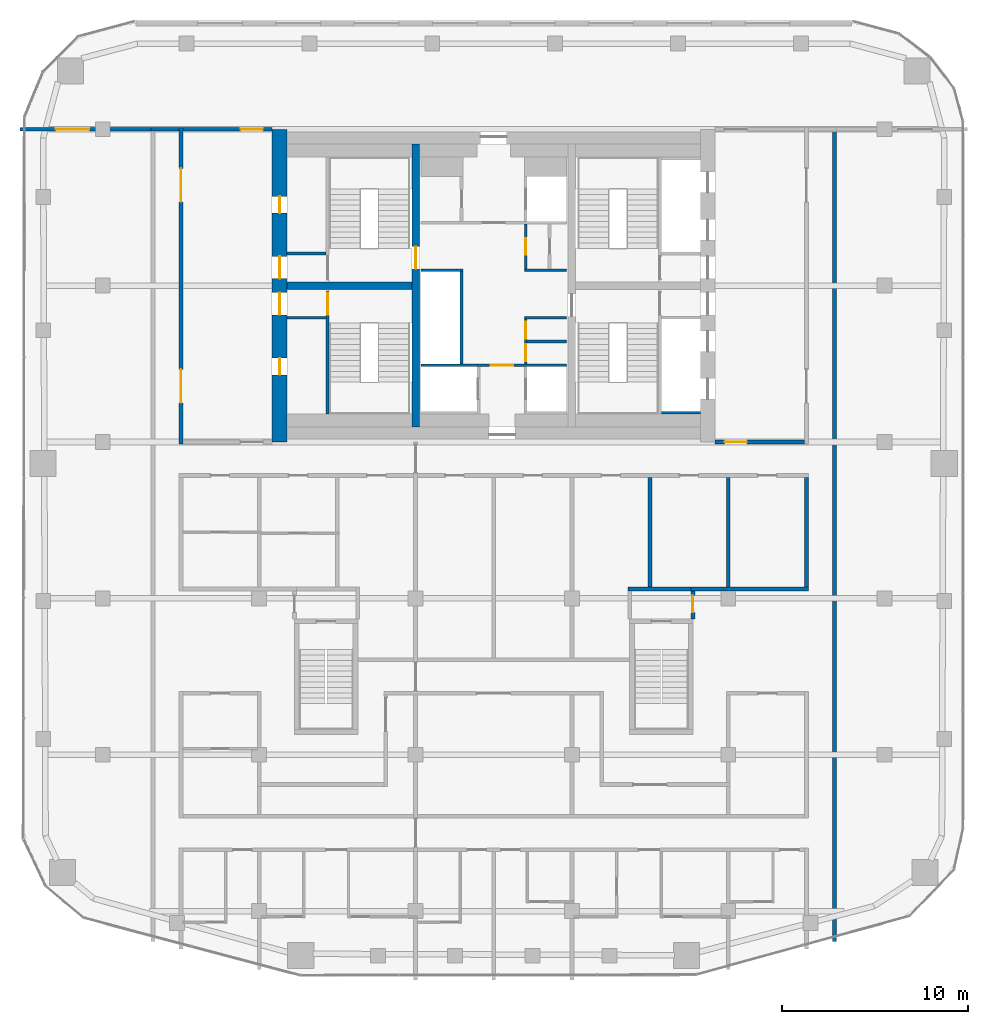
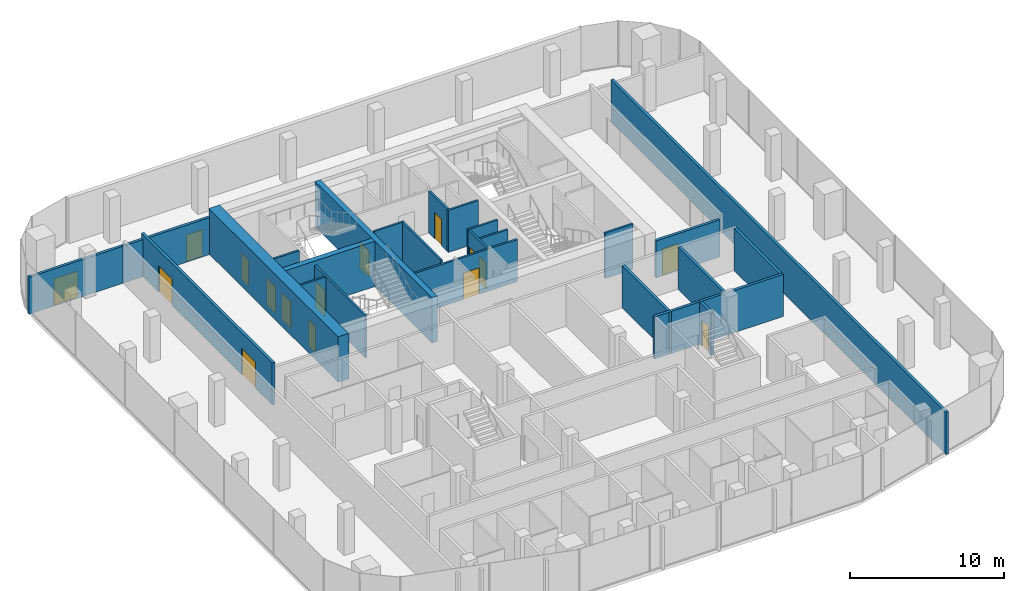
# One storey, part 16 of 20: 27 walls, 16 doors, 16 openings.
"""IFC4 building model written with IfcOpenShell, lengths in metres."""

from ifc_helpers import new_model, si_unit, direction, frame, frame_2d, origin, place, context, subcontext, project, spatial, rectangle, extrude, material, layer, layer_set, type_object, element, fill, save


model = new_model("IFC4")

# Units and contexts
model_context = context("Model", 3, precision=1e-05, world=origin(), true_north=direction((0.0, 1.0)))
body_context = subcontext(model_context, "Body", "Model", "MODEL_VIEW")
ifc_project = project(units=[si_unit("LENGTHUNIT", "METRE"), si_unit("AREAUNIT", "SQUARE_METRE"), si_unit("VOLUMEUNIT", "CUBIC_METRE"), si_unit("PLANEANGLEUNIT", "RADIAN"), si_unit("MASSUNIT", "GRAM", prefix="KILO")], contexts=[model_context])

# Site, building, storey
site_placement = place(None, origin())
site = spatial("IfcSite", under=ifc_project, at=site_placement, CompositionType="ELEMENT")
building_placement = place(site_placement, origin())
building = spatial("IfcBuilding", under=site, at=building_placement, Name="Marenta Gate Hotel Tower", CompositionType="ELEMENT")
storey_placement = place(building_placement, frame((0.0, 0.0, 216.5)))
storey = spatial("IfcBuildingStorey", under=building, at=storey_placement, Name="L50", CompositionType="ELEMENT", Elevation=216.5)

# Wall, openings, doors
ifc_material_1 = material(Name="Concrete blockwork", Category="masonry")
ifc_layer_1 = layer(ifc_material_1, 0.199951171875)
ifc_layer_set_1 = layer_set([ifc_layer_1], Name="Concrete blockwork")
wall_type_1 = type_object("IfcWallType", Name="Core boundary wall 200 REI 180", PredefinedType="PARTITIONING", material=ifc_layer_set_1)
wall_1_placement = place(storey_placement, frame((-16.800048828125, -0.10009765625, 0.0), z_axis=(0.0, 0.0, 1.0), x_axis=(0.0, 1.0, 0.0)))
wall_1 = element("IfcWall", 1, at=wall_1_placement, inside=storey, type_object=wall_type_1, Name="L50-CP-BW-W", PredefinedType="PARTITIONING", context=body_context, shape_type="SweptSolid", body=[
    extrude(rectangle(XDim=17.0, YDim=0.199951171875, at=frame_2d((8.5, 0.0))), origin(), (0.0, 0.0, 1.0), 3.340087890625),
])
opening_1_placement = place(wall_1_placement, frame((2.199951171875, 0.0, 0.0)))
opening_1 = element("IfcOpeningElement", 2, at=opening_1_placement, cuts=wall_1, Name="Opening ED-Wa-B", PredefinedType="OPENING", context=body_context, shape_type="SweptSolid", body=[
    extrude(rectangle(XDim=1.800048828125, YDim=2.10009765625, at=frame_2d((0.89990234375, 1.050048828125))), frame((0.0, 0.10009765625, 0.0), z_axis=(0.0, -1.0, 0.0), x_axis=(1.0, 0.0, 0.0)), (0.0, 0.0, 1.0), 0.199951171875),
])
opening_2_placement = place(wall_1_placement, frame((13.0, 0.0, 0.0)))
opening_2 = element("IfcOpeningElement", 3, at=opening_2_placement, cuts=wall_1, Name="Opening ED-Wb-B", PredefinedType="OPENING", context=body_context, shape_type="SweptSolid", body=[
    extrude(rectangle(XDim=1.800048828125, YDim=2.10009765625, at=frame_2d((0.89990234375, 1.050048828125))), frame((0.0, 0.10009765625, 0.0), z_axis=(0.0, -1.0, 0.0), x_axis=(1.0, 0.0, 0.0)), (0.0, 0.0, 1.0), 0.199951171875),
])
ifc_material_2 = material(Name="Steel", Category="steel")
door_type_1 = type_object("IfcDoorType", Name="Core lobby entrance door 1800x2100 EI 60", OperationType="DOUBLE_DOOR_SINGLE_SWING", PredefinedType="DOOR", material=ifc_material_2)
door_1_placement = place(opening_1_placement, origin())
door_1 = element("IfcDoor", 4, at=door_1_placement, inside=storey, type_object=door_type_1, Name="ED-Wa-B", OperationType="DOUBLE_DOOR_SINGLE_SWING", OverallHeight=2.10009765625, OverallWidth=1.800048828125, PredefinedType="DOOR", context=body_context, shape_type="SweptSolid", body=[
    extrude(rectangle(XDim=1.800048828125, YDim=2.10009765625, at=frame_2d((0.89990234375, 1.050048828125))), frame((0.0, 0.02490234375, 0.0), z_axis=(0.0, -1.0, 0.0), x_axis=(1.0, 0.0, 0.0)), (0.0, 0.0, 1.0), 0.050048828125),
])
fill(opening_1, door_1)
door_2_placement = place(opening_2_placement, origin())
door_2 = element("IfcDoor", 5, at=door_2_placement, inside=storey, type_object=door_type_1, Name="ED-Wb-B", OperationType="DOUBLE_DOOR_SINGLE_SWING", OverallHeight=2.10009765625, OverallWidth=1.800048828125, PredefinedType="DOOR", context=body_context, shape_type="SweptSolid", body=[
    extrude(rectangle(XDim=1.800048828125, YDim=2.10009765625, at=frame_2d((0.89990234375, 1.050048828125))), frame((0.0, 0.02490234375, 0.0), z_axis=(0.0, -1.0, 0.0), x_axis=(1.0, 0.0, 0.0)), (0.0, 0.0, 1.0), 0.050048828125),
])
fill(opening_2, door_2)

# Wall, opening, door
wall_2_placement = place(storey_placement, frame((-16.699951171875, 16.800048828125, 0.0), z_axis=(0.0, 0.0, 1.0), x_axis=(1.0, 0.0, 0.0)))
wall_2 = element("IfcWall", 6, at=wall_2_placement, inside=storey, type_object=wall_type_1, Name="L50-CP-EW-WN", PredefinedType="PARTITIONING", context=body_context, shape_type="SweptSolid", body=[
    extrude(rectangle(XDim=4.800048828125, YDim=0.199951171875, at=frame_2d((2.39990234375, 0.0))), origin(), (0.0, 0.0, 1.0), 2.93994140625),
])
opening_3_placement = place(wall_2_placement, frame((3.10009765625, 0.0, 0.0)))
opening_3 = element("IfcOpeningElement", 7, at=opening_3_placement, cuts=wall_2, Name="Opening RFD-WN", PredefinedType="OPENING", context=body_context, shape_type="SweptSolid", body=[
    extrude(rectangle(XDim=1.199951171875, YDim=2.10009765625, at=frame_2d((0.60009765625, 1.050048828125))), frame((0.0, 0.10009765625, 0.0), z_axis=(0.0, -1.0, 0.0), x_axis=(1.0, 0.0, 0.0)), (0.0, 0.0, 1.0), 0.199951171875),
])
ifc_material_3 = material(Name="Steel", Category="steel")
door_type_2 = type_object("IfcDoorType", Name="Core lobby door 1200x2100 FD60", OperationType="SINGLE_SWING_LEFT", PredefinedType="DOOR", material=ifc_material_3)
door_3_placement = place(opening_3_placement, origin())
door_3 = element("IfcDoor", 8, at=door_3_placement, inside=storey, type_object=door_type_2, Name="RFD-WN", OperationType="SINGLE_SWING_LEFT", OverallHeight=2.10009765625, OverallWidth=1.199951171875, PredefinedType="DOOR", context=body_context, shape_type="SweptSolid", body=[
    extrude(rectangle(XDim=1.199951171875, YDim=2.10009765625, at=frame_2d((0.60009765625, 1.050048828125))), frame((0.0, 0.02490234375, 0.0), z_axis=(0.0, -1.0, 0.0), x_axis=(1.0, 0.0, 0.0)), (0.0, 0.0, 1.0), 0.050048828125),
])
fill(opening_3, door_3)

wall_3_placement = place(storey_placement, frame((11.89990234375, 0.0, 0.0), z_axis=(0.0, 0.0, 1.0), x_axis=(1.0, 0.0, 0.0)))
wall_3 = element("IfcWall", 9, at=wall_3_placement, inside=storey, type_object=wall_type_1, Name="L50-CP-EW-ES", PredefinedType="PARTITIONING", context=body_context, shape_type="SweptSolid", body=[
    extrude(rectangle(XDim=4.800048828125, YDim=0.199951171875, at=frame_2d((2.39990234375, 0.0))), origin(), (0.0, 0.0, 1.0), 2.93994140625),
])
opening_4_placement = place(wall_3_placement, frame((0.5, 0.0, 0.0)))
opening_4 = element("IfcOpeningElement", 10, at=opening_4_placement, cuts=wall_3, Name="Opening RFD-ES", PredefinedType="OPENING", context=body_context, shape_type="SweptSolid", body=[
    extrude(rectangle(XDim=1.199951171875, YDim=2.10009765625, at=frame_2d((0.60009765625, 1.050048828125))), frame((0.0, 0.10009765625, 0.0), z_axis=(0.0, -1.0, 0.0), x_axis=(1.0, 0.0, 0.0)), (0.0, 0.0, 1.0), 0.199951171875),
])
door_4_placement = place(opening_4_placement, origin())
door_4 = element("IfcDoor", 11, at=door_4_placement, inside=storey, type_object=door_type_2, Name="RFD-ES", OperationType="SINGLE_SWING_LEFT", OverallHeight=2.10009765625, OverallWidth=1.199951171875, PredefinedType="DOOR", context=body_context, shape_type="SweptSolid", body=[
    extrude(rectangle(XDim=1.199951171875, YDim=2.10009765625, at=frame_2d((0.60009765625, 1.050048828125))), frame((0.0, 0.02490234375, 0.0), z_axis=(0.0, -1.0, 0.0), x_axis=(1.0, 0.0, 0.0)), (0.0, 0.0, 1.0), 0.050048828125),
])
fill(opening_4, door_4)

ifc_material_4 = material(Name="Concrete blockwork", Category="masonry")
ifc_layer_2 = layer(ifc_material_4, 0.14990234375)
ifc_layer_set_2 = layer_set([ifc_layer_2], Name="Concrete blockwork")
wall_type_2 = type_object("IfcWallType", Name="Core lobby partition 150 REI 180", PredefinedType="PARTITIONING", material=ifc_layer_set_2)
wall_4_placement = place(storey_placement, frame((-3.89990234375, 4.125, 0.0), z_axis=(0.0, 0.0, 1.0), x_axis=(1.0, 0.0, 0.0)))
wall_4 = element("IfcWall", 12, at=wall_4_placement, inside=storey, type_object=wall_type_2, Name="L50-CP-CW-S", PredefinedType="PARTITIONING", context=body_context, shape_type="SweptSolid", body=[
    extrude(rectangle(XDim=7.7998046875, YDim=0.14990234375, at=frame_2d((3.89990234375, 0.0))), origin(), (0.0, 0.0, 1.0), 3.340087890625),
])
opening_5_placement = place(wall_4_placement, frame((3.75, 0.0, 0.0)))
opening_5 = element("IfcOpeningElement", 13, at=opening_5_placement, cuts=wall_4, Name="Opening FD-FFS", PredefinedType="OPENING", context=body_context, shape_type="SweptSolid", body=[
    extrude(rectangle(XDim=1.199951171875, YDim=2.10009765625, at=frame_2d((0.60009765625, 1.050048828125))), frame((0.0, 0.074951171875, 0.0), z_axis=(0.0, -1.0, 0.0), x_axis=(1.0, 0.0, 0.0)), (0.0, 0.0, 1.0), 0.14990234375),
])
door_5_placement = place(opening_5_placement, origin())
door_5 = element("IfcDoor", 14, at=door_5_placement, inside=storey, type_object=door_type_2, Name="FD-FFS", OperationType="SINGLE_SWING_LEFT", OverallHeight=2.10009765625, OverallWidth=1.199951171875, PredefinedType="DOOR", context=body_context, shape_type="SweptSolid", body=[
    extrude(rectangle(XDim=1.199951171875, YDim=2.10009765625, at=frame_2d((0.60009765625, 1.050048828125))), frame((0.0, 0.02490234375, 0.0), z_axis=(0.0, -1.0, 0.0), x_axis=(1.0, 0.0, 0.0)), (0.0, 0.0, 1.0), 0.050048828125),
])
fill(opening_5, door_5)

# Walls
ifc_material_5 = material(Name="Concrete blockwork", Category="masonry")
ifc_layer_3 = layer(ifc_material_5, 0.14990234375)
ifc_layer_set_3 = layer_set([ifc_layer_3], Name="Concrete blockwork")
wall_type_3 = type_object("IfcWallType", Name="Core room partition 150 REI 180", PredefinedType="PARTITIONING", material=ifc_layer_set_3)
for number, where, z_axis, x_axis, name in (
    (15, (-11.10009765625, 6.675048828125, 0.0), (0.0, 0.0, 1.0), (1.0, 0.0, 0.0), "L50-CP-SW-WS-2"),
    (16, (-11.10009765625, 10.125, 0.0), (0.0, 0.0, 1.0), (1.0, 0.0, 0.0), "L50-CP-SW-WN-2"),
):
    element("IfcWall", number, at=place(storey_placement, frame(where, z_axis=z_axis, x_axis=x_axis)), inside=storey, type_object=wall_type_3, Name=name, PredefinedType="PARTITIONING", context=body_context, shape_type="SweptSolid", body=[
        extrude(rectangle(XDim=2.10009765625, YDim=0.14990234375, at=frame_2d((1.050048828125, 0.0))), origin(), (0.0, 0.0, 1.0), 3.340087890625),
    ])
for number, where, z_axis, x_axis, name in (
    (17, (1.64990234375, 6.675048828125, 0.0), (0.0, 0.0, 1.0), (1.0, 0.0, 0.0), "L50-CP-CE-sep1"),
    (18, (1.64990234375, 9.22509765625, 0.0), (0.0, 0.0, 1.0), (1.0, 0.0, 0.0), "L50-CP-CE-sep2"),
):
    element("IfcWall", number, at=place(storey_placement, frame(where, z_axis=z_axis, x_axis=x_axis)), inside=storey, type_object=wall_type_3, Name=name, PredefinedType="PARTITIONING", context=body_context, shape_type="SweptSolid", body=[
        extrude(rectangle(XDim=2.25, YDim=0.14990234375, at=frame_2d((1.125, 0.0))), origin(), (0.0, 0.0, 1.0), 3.340087890625),
    ])

# Wall, openings, doors
wall_5_placement = place(storey_placement, frame((1.72509765625, 4.199951171875, 0.0), z_axis=(0.0, 0.0, 1.0), x_axis=(0.0, 1.0, 0.0)))
wall_5 = element("IfcWall", 19, at=wall_5_placement, inside=storey, type_object=wall_type_3, Name="L50-CP-CE-front-1", PredefinedType="PARTITIONING", context=body_context, shape_type="SweptSolid", body=[
    extrude(rectangle(XDim=2.400146484375, YDim=0.14990234375, at=frame_2d((1.2001953125, 0.0))), origin(), (0.0, 0.0, 1.0), 3.340087890625),
])
opening_6_placement = place(wall_5_placement, frame((0.14990234375, 0.0, 0.0)))
opening_6 = element("IfcOpeningElement", 20, at=opening_6_placement, cuts=wall_5, Name="Opening RD-CE-1a", PredefinedType="OPENING", context=body_context, shape_type="SweptSolid", body=[
    extrude(rectangle(XDim=0.89990234375, YDim=2.10009765625, at=frame_2d((0.449951171875, 1.050048828125))), frame((0.0, 0.074951171875, 0.0), z_axis=(0.0, -1.0, 0.0), x_axis=(1.0, 0.0, 0.0)), (0.0, 0.0, 1.0), 0.14990234375),
])
opening_7_placement = place(wall_5_placement, frame((1.35009765625, 0.0, 0.0)))
opening_7 = element("IfcOpeningElement", 21, at=opening_7_placement, cuts=wall_5, Name="Opening RD-CE-1b-B", PredefinedType="OPENING", context=body_context, shape_type="SweptSolid", body=[
    extrude(rectangle(XDim=0.89990234375, YDim=2.10009765625, at=frame_2d((0.449951171875, 1.050048828125))), frame((0.0, 0.074951171875, 0.0), z_axis=(0.0, -1.0, 0.0), x_axis=(1.0, 0.0, 0.0)), (0.0, 0.0, 1.0), 0.14990234375),
])
ifc_material_6 = material(Name="Steel", Category="steel")
door_type_3 = type_object("IfcDoorType", Name="Core service room door 900x2100 FD30S", OperationType="SINGLE_SWING_LEFT", PredefinedType="DOOR", material=ifc_material_6)
door_6_placement = place(opening_6_placement, origin())
door_6 = element("IfcDoor", 22, at=door_6_placement, inside=storey, type_object=door_type_3, Name="RD-CE-1a", OperationType="SINGLE_SWING_LEFT", OverallHeight=2.10009765625, OverallWidth=0.89990234375, PredefinedType="DOOR", context=body_context, shape_type="SweptSolid", body=[
    extrude(rectangle(XDim=0.89990234375, YDim=2.10009765625, at=frame_2d((0.449951171875, 1.050048828125))), frame((0.0, 0.02490234375, 0.0), z_axis=(0.0, -1.0, 0.0), x_axis=(1.0, 0.0, 0.0)), (0.0, 0.0, 1.0), 0.050048828125),
])
fill(opening_6, door_6)
door_7_placement = place(opening_7_placement, origin())
door_7 = element("IfcDoor", 23, at=door_7_placement, inside=storey, type_object=door_type_3, Name="RD-CE-1b-B", OperationType="SINGLE_SWING_LEFT", OverallHeight=2.10009765625, OverallWidth=0.89990234375, PredefinedType="DOOR", context=body_context, shape_type="SweptSolid", body=[
    extrude(rectangle(XDim=0.89990234375, YDim=2.10009765625, at=frame_2d((0.449951171875, 1.050048828125))), frame((0.0, 0.02490234375, 0.0), z_axis=(0.0, -1.0, 0.0), x_axis=(1.0, 0.0, 0.0)), (0.0, 0.0, 1.0), 0.050048828125),
])
fill(opening_7, door_7)

# Wall, opening, door
wall_6_placement = place(storey_placement, frame((1.72509765625, 9.300048828125, 0.0), z_axis=(0.0, 0.0, 1.0), x_axis=(0.0, 1.0, 0.0)))
wall_6 = element("IfcWall", 24, at=wall_6_placement, inside=storey, type_object=wall_type_3, Name="L50-CP-CE-front-2", PredefinedType="PARTITIONING", context=body_context, shape_type="SweptSolid", body=[
    extrude(rectangle(XDim=2.39990234375, YDim=0.14990234375, at=frame_2d((1.199951171875, 0.0))), origin(), (0.0, 0.0, 1.0), 3.340087890625),
])
opening_8_placement = place(wall_6_placement, frame((0.75, 0.0, 0.0)))
opening_8 = element("IfcOpeningElement", 25, at=opening_8_placement, cuts=wall_6, Name="Opening RD-CE-2a", PredefinedType="OPENING", context=body_context, shape_type="SweptSolid", body=[
    extrude(rectangle(XDim=0.89990234375, YDim=2.10009765625, at=frame_2d((0.449951171875, 1.050048828125))), frame((0.0, 0.074951171875, 0.0), z_axis=(0.0, -1.0, 0.0), x_axis=(1.0, 0.0, 0.0)), (0.0, 0.0, 1.0), 0.14990234375),
])
door_8_placement = place(opening_8_placement, origin())
door_8 = element("IfcDoor", 26, at=door_8_placement, inside=storey, type_object=door_type_3, Name="RD-CE-2a", OperationType="SINGLE_SWING_LEFT", OverallHeight=2.10009765625, OverallWidth=0.89990234375, PredefinedType="DOOR", context=body_context, shape_type="SweptSolid", body=[
    extrude(rectangle(XDim=0.89990234375, YDim=2.10009765625, at=frame_2d((0.449951171875, 1.050048828125))), frame((0.0, 0.02490234375, 0.0), z_axis=(0.0, -1.0, 0.0), x_axis=(1.0, 0.0, 0.0)), (0.0, 0.0, 1.0), 0.050048828125),
])
fill(opening_8, door_8)

# Walls
wall_7_placement = place(storey_placement, frame((1.800048828125, 5.39990234375, 0.0), z_axis=(0.0, 0.0, 1.0), x_axis=(1.0, 0.0, 0.0)))
element("IfcWall", 27, at=wall_7_placement, inside=storey, type_object=wall_type_3, Name="L50-CP-CE-RW-1", PredefinedType="PARTITIONING", context=body_context, shape_type="SweptSolid", body=[
    extrude(rectangle(XDim=2.099853515625, YDim=0.14990234375, at=frame_2d((1.0498046875, 0.0))), origin(), (0.0, 0.0, 1.0), 3.340087890625),
])
ifc_material_7 = material(Name="Concrete C40", Category="concrete")
ifc_layer_4 = layer(ifc_material_7, 0.14990234375)
ifc_layer_set_4 = layer_set([ifc_layer_4], Name="Concrete C40")
wall_type_4 = type_object("IfcWallType", Name="Core shaft wall 150 REI 180", PredefinedType="SHEAR", material=ifc_layer_set_4)
wall_8_placement = place(storey_placement, frame((9.0, 1.574951171875, 0.0), z_axis=(0.0, 0.0, 1.0), x_axis=(1.0, 0.0, 0.0)))
element("IfcWall", 28, at=wall_8_placement, inside=storey, type_object=wall_type_4, Name="L50-SHF-SW-ES-5", PredefinedType="SHEAR", context=body_context, shape_type="SweptSolid", body=[
    extrude(rectangle(XDim=2.10009765625, YDim=0.14990234375, at=frame_2d((1.050048828125, 0.0))), origin(), (0.0, 0.0, 1.0), 3.60009765625),
])
wall_9_placement = place(storey_placement, frame((-1.72509765625, 4.199951171875, 0.0), z_axis=(0.0, 0.0, 1.0), x_axis=(0.0, 1.0, 0.0)))
element("IfcWall", 29, at=wall_9_placement, inside=storey, type_object=wall_type_4, Name="L50-SHF-CW-W-front", PredefinedType="SHEAR", context=body_context, shape_type="SweptSolid", body=[
    extrude(rectangle(XDim=4.949951171875, YDim=0.14990234375, at=frame_2d((2.47509765625, 0.0))), origin(), (0.0, 0.0, 1.0), 3.60009765625),
])
wall_10_placement = place(storey_placement, frame((-3.89990234375, 9.22509765625, 0.0), z_axis=(0.0, 0.0, 1.0), x_axis=(1.0, 0.0, 0.0)))
element("IfcWall", 30, at=wall_10_placement, inside=storey, type_object=wall_type_4, Name="L50-SHF-CW-W-sep", PredefinedType="SHEAR", context=body_context, shape_type="SweptSolid", body=[
    extrude(rectangle(XDim=2.25, YDim=0.14990234375, at=frame_2d((1.125, 0.0))), origin(), (0.0, 0.0, 1.0), 3.60009765625),
])

# Wall, opening, door
ifc_material_8 = material(Name="Concrete C40", Category="concrete")
ifc_layer_5 = layer(ifc_material_8, 0.14990234375)
ifc_layer_set_5 = layer_set([ifc_layer_5], Name="Concrete C40")
wall_type_5 = type_object("IfcWallType", Name="Core stair enclosure wall 150 REI 180", PredefinedType="SHEAR", material=ifc_layer_set_5)
wall_11_placement = place(storey_placement, frame((-8.925048828125, 1.5, 0.0), z_axis=(0.0, 0.0, 1.0), x_axis=(0.0, 1.0, 0.0)))
wall_11 = element("IfcWall", 31, at=wall_11_placement, inside=storey, type_object=wall_type_5, Name="L50-SHF-SW-WS-3", PredefinedType="SHEAR", context=body_context, shape_type="SweptSolid", body=[
    extrude(rectangle(XDim=6.60009765625, YDim=0.14990234375, at=frame_2d((3.300048828125, 0.0))), origin(), (0.0, 0.0, 1.0), 3.340087890625),
])
opening_9_placement = place(wall_11_placement, frame((5.324951171875, 0.0, 0.0)))
opening_9 = element("IfcOpeningElement", 32, at=opening_9_placement, cuts=wall_11, Name="Opening SD-WS", PredefinedType="OPENING", context=body_context, shape_type="SweptSolid", body=[
    extrude(rectangle(XDim=1.199951171875, YDim=2.10009765625, at=frame_2d((0.60009765625, 1.050048828125))), frame((0.0, 0.074951171875, 0.0), z_axis=(0.0, -1.0, 0.0), x_axis=(1.0, 0.0, 0.0)), (0.0, 0.0, 1.0), 0.14990234375),
])
ifc_material_9 = material(Name="Steel", Category="steel")
door_type_4 = type_object("IfcDoorType", Name="Core stair door 1200x2100 FD60", OperationType="SINGLE_SWING_LEFT", PredefinedType="DOOR", material=ifc_material_9)
door_9_placement = place(opening_9_placement, origin())
door_9 = element("IfcDoor", 33, at=door_9_placement, inside=storey, type_object=door_type_4, Name="SD-WS", OperationType="SINGLE_SWING_LEFT", OverallHeight=2.10009765625, OverallWidth=1.199951171875, PredefinedType="DOOR", context=body_context, shape_type="SweptSolid", body=[
    extrude(rectangle(XDim=1.199951171875, YDim=2.10009765625, at=frame_2d((0.60009765625, 1.050048828125))), frame((0.0, 0.02490234375, 0.0), z_axis=(0.0, -1.0, 0.0), x_axis=(1.0, 0.0, 0.0)), (0.0, 0.0, 1.0), 0.050048828125),
])
fill(opening_9, door_9)

# Wall, openings, doors
ifc_material_10 = material(Name="Concrete C60", Category="concrete")
ifc_layer_6 = layer(ifc_material_10, 0.800048828125)
ifc_layer_set_6 = layer_set([ifc_layer_6], Name="Concrete C60")
wall_type_6 = type_object("IfcWallType", Name="Core wall 800 C60", PredefinedType="SHEAR", material=ifc_layer_set_6)
wall_12_placement = place(storey_placement, frame((-11.5, 0.0, 0.0), z_axis=(0.0, 0.0, 1.0), x_axis=(0.0, 1.0, 0.0)))
wall_12 = element("IfcWall", 34, at=wall_12_placement, inside=storey, type_object=wall_type_6, Name="L50-CORE-W", PredefinedType="SHEAR", context=body_context, shape_type="SweptSolid", body=[
    extrude(rectangle(XDim=16.800048828125, YDim=0.800048828125, at=frame_2d((8.39990234375, 0.0))), origin(), (0.0, 0.0, 1.0), 3.60009765625),
])
opening_10_placement = place(wall_12_placement, frame((3.60009765625, 0.0, 0.0)))
opening_10 = element("IfcOpeningElement", 35, at=opening_10_placement, cuts=wall_12, Name="Opening RD-WS-1", PredefinedType="OPENING", context=body_context, shape_type="SweptSolid", body=[
    extrude(rectangle(XDim=0.89990234375, YDim=2.10009765625, at=frame_2d((0.449951171875, 1.050048828125))), frame((0.0, 0.39990234375, 0.0), z_axis=(0.0, -1.0, 0.0), x_axis=(1.0, 0.0, 0.0)), (0.0, 0.0, 1.0), 0.800048828125),
])
opening_11_placement = place(wall_12_placement, frame((6.824951171875, 0.0, 0.0)))
opening_11 = element("IfcOpeningElement", 36, at=opening_11_placement, cuts=wall_12, Name="Opening PD-WS", PredefinedType="OPENING", context=body_context, shape_type="SweptSolid", body=[
    extrude(rectangle(XDim=1.199951171875, YDim=2.10009765625, at=frame_2d((0.60009765625, 1.050048828125))), frame((0.0, 0.39990234375, 0.0), z_axis=(0.0, -1.0, 0.0), x_axis=(1.0, 0.0, 0.0)), (0.0, 0.0, 1.0), 0.800048828125),
])
opening_12_placement = place(wall_12_placement, frame((12.300048828125, 0.0, 0.0)))
opening_12 = element("IfcOpeningElement", 37, at=opening_12_placement, cuts=wall_12, Name="Opening RD-WN-1", PredefinedType="OPENING", context=body_context, shape_type="SweptSolid", body=[
    extrude(rectangle(XDim=0.89990234375, YDim=2.10009765625, at=frame_2d((0.449951171875, 1.050048828125))), frame((0.0, 0.39990234375, 0.0), z_axis=(0.0, -1.0, 0.0), x_axis=(1.0, 0.0, 0.0)), (0.0, 0.0, 1.0), 0.800048828125),
])
opening_13_placement = place(wall_12_placement, frame((8.77490234375, 0.0, 0.0)))
opening_13 = element("IfcOpeningElement", 38, at=opening_13_placement, cuts=wall_12, Name="Opening PD-WN", PredefinedType="OPENING", context=body_context, shape_type="SweptSolid", body=[
    extrude(rectangle(XDim=1.199951171875, YDim=2.10009765625, at=frame_2d((0.60009765625, 1.050048828125))), frame((0.0, 0.39990234375, 0.0), z_axis=(0.0, -1.0, 0.0), x_axis=(1.0, 0.0, 0.0)), (0.0, 0.0, 1.0), 0.800048828125),
])
door_10_placement = place(opening_11_placement, origin())
door_10 = element("IfcDoor", 39, at=door_10_placement, inside=storey, type_object=door_type_2, Name="PD-WS", OperationType="SINGLE_SWING_LEFT", OverallHeight=2.10009765625, OverallWidth=1.199951171875, PredefinedType="DOOR", context=body_context, shape_type="SweptSolid", body=[
    extrude(rectangle(XDim=1.199951171875, YDim=2.10009765625, at=frame_2d((0.60009765625, 1.050048828125))), frame((0.0, 0.02490234375, 0.0), z_axis=(0.0, -1.0, 0.0), x_axis=(1.0, 0.0, 0.0)), (0.0, 0.0, 1.0), 0.050048828125),
])
fill(opening_11, door_10)
door_11_placement = place(opening_13_placement, origin())
door_11 = element("IfcDoor", 40, at=door_11_placement, inside=storey, type_object=door_type_2, Name="PD-WN", OperationType="SINGLE_SWING_LEFT", OverallHeight=2.10009765625, OverallWidth=1.199951171875, PredefinedType="DOOR", context=body_context, shape_type="SweptSolid", body=[
    extrude(rectangle(XDim=1.199951171875, YDim=2.10009765625, at=frame_2d((0.60009765625, 1.050048828125))), frame((0.0, 0.02490234375, 0.0), z_axis=(0.0, -1.0, 0.0), x_axis=(1.0, 0.0, 0.0)), (0.0, 0.0, 1.0), 0.050048828125),
])
fill(opening_13, door_11)
door_12_placement = place(opening_10_placement, origin())
door_12 = element("IfcDoor", 41, at=door_12_placement, inside=storey, type_object=door_type_3, Name="RD-WS-1", OperationType="SINGLE_SWING_LEFT", OverallHeight=2.10009765625, OverallWidth=0.89990234375, PredefinedType="DOOR", context=body_context, shape_type="SweptSolid", body=[
    extrude(rectangle(XDim=0.89990234375, YDim=2.10009765625, at=frame_2d((0.449951171875, 1.050048828125))), frame((0.0, 0.02490234375, 0.0), z_axis=(0.0, -1.0, 0.0), x_axis=(1.0, 0.0, 0.0)), (0.0, 0.0, 1.0), 0.050048828125),
])
fill(opening_10, door_12)
door_13_placement = place(opening_12_placement, origin())
door_13 = element("IfcDoor", 42, at=door_13_placement, inside=storey, type_object=door_type_3, Name="RD-WN-1", OperationType="SINGLE_SWING_LEFT", OverallHeight=2.10009765625, OverallWidth=0.89990234375, PredefinedType="DOOR", context=body_context, shape_type="SweptSolid", body=[
    extrude(rectangle(XDim=0.89990234375, YDim=2.10009765625, at=frame_2d((0.449951171875, 1.050048828125))), frame((0.0, 0.02490234375, 0.0), z_axis=(0.0, -1.0, 0.0), x_axis=(1.0, 0.0, 0.0)), (0.0, 0.0, 1.0), 0.050048828125),
])
fill(opening_12, door_13)

# Wall, opening, door
ifc_material_11 = material(Name="Concrete C60", Category="concrete")
ifc_layer_7 = layer(ifc_material_11, 0.39990234375)
ifc_layer_set_7 = layer_set([ifc_layer_7], Name="Concrete C60")
wall_type_7 = type_object("IfcWallType", Name="Core web 400 C60", PredefinedType="SHEAR", material=ifc_layer_set_7)
wall_13_placement = place(storey_placement, frame((-4.199951171875, 0.800048828125, 0.0), z_axis=(0.0, 0.0, 1.0), x_axis=(0.0, 1.0, 0.0)))
wall_13 = element("IfcWall", 43, at=wall_13_placement, inside=storey, type_object=wall_type_7, Name="L50-CORE-W1", PredefinedType="SHEAR", context=body_context, shape_type="SweptSolid", body=[
    extrude(rectangle(XDim=15.199951171875, YDim=0.39990234375, at=frame_2d((7.60009765625, 0.0))), origin(), (0.0, 0.0, 1.0), 3.60009765625),
])
opening_14_placement = place(wall_13_placement, frame((8.5, 0.0, 0.0)))
opening_14 = element("IfcOpeningElement", 44, at=opening_14_placement, cuts=wall_13, Name="Opening WD-W", PredefinedType="OPENING", context=body_context, shape_type="SweptSolid", body=[
    extrude(rectangle(XDim=1.199951171875, YDim=2.10009765625, at=frame_2d((0.60009765625, 1.050048828125))), frame((0.0, 0.199951171875, 0.0), z_axis=(0.0, -1.0, 0.0), x_axis=(1.0, 0.0, 0.0)), (0.0, 0.0, 1.0), 0.39990234375),
])
door_14_placement = place(opening_14_placement, origin())
door_14 = element("IfcDoor", 45, at=door_14_placement, inside=storey, type_object=door_type_4, Name="WD-W", OperationType="SINGLE_SWING_LEFT", OverallHeight=2.10009765625, OverallWidth=1.199951171875, PredefinedType="DOOR", context=body_context, shape_type="SweptSolid", body=[
    extrude(rectangle(XDim=1.199951171875, YDim=2.10009765625, at=frame_2d((0.60009765625, 1.050048828125))), frame((0.0, 0.02490234375, 0.0), z_axis=(0.0, -1.0, 0.0), x_axis=(1.0, 0.0, 0.0)), (0.0, 0.0, 1.0), 0.050048828125),
])
fill(opening_14, door_14)

# Walls
wall_14_placement = place(storey_placement, frame((-11.10009765625, 8.39990234375, 0.0), z_axis=(0.0, 0.0, 1.0), x_axis=(1.0, 0.0, 0.0)))
element("IfcWall", 46, at=wall_14_placement, inside=storey, type_object=wall_type_7, Name="L50-CORE-W3", PredefinedType="SHEAR", context=body_context, shape_type="SweptSolid", body=[
    extrude(rectangle(XDim=6.7001953125, YDim=0.39990234375, at=frame_2d((3.35009765625, 0.0))), origin(), (0.0, 0.0, 1.0), 3.60009765625),
])
ifc_material_12 = material(Name="Gypsum board on steel stud", Category="steel")
ifc_layer_8 = layer(ifc_material_12, 0.199951171875)
ifc_layer_set_8 = layer_set([ifc_layer_8], Name="Gypsum board on steel stud")
wall_type_8 = type_object("IfcWallType", Name="Room corridor wall 200 EI 60", PredefinedType="PARTITIONING", material=ifc_layer_set_8)
wall_15_placement = place(storey_placement, frame((16.800048828125, -7.800048828125, 0.0), z_axis=(0.0, 0.0, 1.0), x_axis=(0.0, 1.0, 0.0)))
element("IfcWall", 47, at=wall_15_placement, inside=storey, type_object=wall_type_8, Name="L50-PTN-W016", PredefinedType="PARTITIONING", context=body_context, shape_type="SweptSolid", body=[
    extrude(rectangle(XDim=5.900146484375, YDim=0.199951171875, at=frame_2d((2.9501953125, 0.0))), origin(), (0.0, 0.0, 1.0), 3.340087890625),
])
wall_16_placement = place(storey_placement, frame((10.60009765625, -7.89990234375, 0.0), z_axis=(0.0, 0.0, 1.0), x_axis=(1.0, 0.0, 0.0)))
element("IfcWall", 48, at=wall_16_placement, inside=storey, type_object=wall_type_8, Name="L50-PTN-W031", PredefinedType="PARTITIONING", context=body_context, shape_type="SweptSolid", body=[
    extrude(rectangle(XDim=6.2998046875, YDim=0.199951171875, at=frame_2d((3.14990234375, 0.0))), origin(), (0.0, 0.0, 1.0), 3.340087890625),
])
ifc_material_13 = material(Name="Concrete blockwork", Category="masonry")
ifc_layer_9 = layer(ifc_material_13, 0.199951171875)
ifc_layer_set_9 = layer_set([ifc_layer_9], Name="Concrete blockwork")
wall_type_9 = type_object("IfcWallType", Name="Room corridor wall 200 REI 180", PredefinedType="PARTITIONING", material=ifc_layer_set_9)
wall_17_placement = place(storey_placement, frame((18.300048828125, -26.8310546875, 0.0), z_axis=(0.0, 0.0, 1.0), x_axis=(0.0, 1.0, 0.0)))
element("IfcWall", 49, at=wall_17_placement, inside=storey, type_object=wall_type_9, Name="L50-PTN-W013", PredefinedType="PARTITIONING", context=body_context, shape_type="SweptSolid", body=[
    extrude(rectangle(XDim=43.531005859375, YDim=0.199951171875, at=frame_2d((21.765625, 0.0))), origin(), (0.0, 0.0, 1.0), 3.340087890625),
])

# Wall, opening, door
wall_18_placement = place(storey_placement, frame((10.699951171875, -9.5, 0.0), z_axis=(0.0, 0.0, 1.0), x_axis=(0.0, 1.0, 0.0)))
wall_18 = element("IfcWall", 50, at=wall_18_placement, inside=storey, type_object=wall_type_9, Name="L50-PTN-W027", PredefinedType="PARTITIONING", context=body_context, shape_type="SweptSolid", body=[
    extrude(rectangle(XDim=1.5, YDim=0.199951171875, at=frame_2d((0.75, 0.0))), origin(), (0.0, 0.0, 1.0), 3.340087890625),
])
opening_15_placement = place(wall_18_placement, frame((0.35009765625, 0.0, 0.0)))
opening_15 = element("IfcOpeningElement", 51, at=opening_15_placement, cuts=wall_18, Name="Opening G18-34", PredefinedType="OPENING", context=body_context, shape_type="SweptSolid", body=[
    extrude(rectangle(XDim=0.89990234375, YDim=2.10009765625, at=frame_2d((0.449951171875, 1.050048828125))), frame((0.0, 0.10009765625, 0.0), z_axis=(0.0, -1.0, 0.0), x_axis=(1.0, 0.0, 0.0)), (0.0, 0.0, 1.0), 0.199951171875),
])
ifc_material_14 = material(Name="Hollow steel door set", Category="steel")
door_type_5 = type_object("IfcDoorType", Name="Stair vestibule door 900x2100 EI 60", OperationType="NOTDEFINED", PredefinedType="DOOR", material=ifc_material_14)
door_15_placement = place(opening_15_placement, origin())
door_15 = element("IfcDoor", 52, at=door_15_placement, inside=storey, type_object=door_type_5, Name="L50-PD-D034", OperationType="SINGLE_SWING_RIGHT", OverallHeight=2.10009765625, OverallWidth=0.89990234375, PredefinedType="DOOR", context=body_context, shape_type="SweptSolid", body=[
    extrude(rectangle(XDim=0.89990234375, YDim=2.10009765625, at=frame_2d((0.449951171875, 1.050048828125))), frame((0.0, 0.02490234375, 0.0), z_axis=(0.0, -1.0, 0.0), x_axis=(1.0, 0.0, 0.0)), (0.0, 0.0, 1.0), 0.050048828125),
])
fill(opening_15, door_15)

# Walls
wall_19_placement = place(storey_placement, frame((-18.39990234375, 16.800048828125, 0.0), z_axis=(0.0, 0.0, 1.0), x_axis=(1.0, 0.0, 0.0)))
element("IfcWall", 53, at=wall_19_placement, inside=storey, type_object=wall_type_9, Name="L50-PTN-W066", PredefinedType="PARTITIONING", context=body_context, shape_type="SweptSolid", body=[
    extrude(rectangle(XDim=1.5, YDim=0.199951171875, at=frame_2d((0.75, 0.0))), origin(), (0.0, 0.0, 1.0), 2.93994140625),
])
ifc_material_15 = material(Name="Gypsum board on steel stud", Category="steel")
ifc_layer_10 = layer(ifc_material_15, 0.199951171875)
ifc_layer_set_10 = layer_set([ifc_layer_10], Name="Gypsum board on steel stud")
wall_type_10 = type_object("IfcWallType", Name="Room party wall 200 EI 60", PredefinedType="PARTITIONING", material=ifc_layer_set_10)
wall_20_placement = place(storey_placement, frame((12.60009765625, -7.800048828125, 0.0), z_axis=(0.0, 0.0, 1.0), x_axis=(0.0, 1.0, 0.0)))
element("IfcWall", 54, at=wall_20_placement, inside=storey, type_object=wall_type_10, Name="L50-PTN-W024", PredefinedType="PARTITIONING", context=body_context, shape_type="SweptSolid", body=[
    extrude(rectangle(XDim=5.900146484375, YDim=0.199951171875, at=frame_2d((2.9501953125, 0.0))), origin(), (0.0, 0.0, 1.0), 3.340087890625),
])
wall_21_placement = place(storey_placement, frame((8.39990234375, -8.0, 0.0), z_axis=(0.0, 0.0, 1.0), x_axis=(0.0, 1.0, 0.0)))
element("IfcWall", 55, at=wall_21_placement, inside=storey, type_object=wall_type_10, Name="L50-PTN-W029", PredefinedType="PARTITIONING", context=body_context, shape_type="SweptSolid", body=[
    extrude(rectangle(XDim=6.10009765625, YDim=0.199951171875, at=frame_2d((3.050048828125, 0.0))), origin(), (0.0, 0.0, 1.0), 3.340087890625),
])
ifc_material_16 = material(Name="Concrete blockwork", Category="masonry")
ifc_layer_11 = layer(ifc_material_16, 0.199951171875)
ifc_layer_set_11 = layer_set([ifc_layer_11], Name="Concrete blockwork")
wall_type_11 = type_object("IfcWallType", Name="Room party wall 200 REI 180", PredefinedType="PARTITIONING", material=ifc_layer_set_11)
wall_22_placement = place(storey_placement, frame((7.199951171875, -7.89990234375, 0.0), z_axis=(0.0, 0.0, 1.0), x_axis=(1.0, 0.0, 0.0)))
element("IfcWall", 56, at=wall_22_placement, inside=storey, type_object=wall_type_11, Name="L50-PTN-W033", PredefinedType="PARTITIONING", context=body_context, shape_type="SweptSolid", body=[
    extrude(rectangle(XDim=3.400146484375, YDim=0.199951171875, at=frame_2d((1.7001953125, 0.0))), origin(), (0.0, 0.0, 1.0), 3.340087890625),
])

# Wall, opening, door
wall_23_placement = place(storey_placement, frame((-25.447021484375, 16.800048828125, 0.0), z_axis=(0.0, 0.0, 1.0), x_axis=(1.0, 0.0, 0.0)))
wall_23 = element("IfcWall", 57, at=wall_23_placement, inside=storey, type_object=wall_type_11, Name="L50-PTN-W064", PredefinedType="PARTITIONING", context=body_context, shape_type="SweptSolid", body=[
    extrude(rectangle(XDim=7.047119140625, YDim=0.199951171875, at=frame_2d((3.5234375, 0.0))), origin(), (0.0, 0.0, 1.0), 2.93994140625),
])
opening_16_placement = place(wall_23_placement, frame((1.924072265625, 0.0, 0.0)))
opening_16 = element("IfcOpeningElement", 58, at=opening_16_placement, cuts=wall_23, Name="Opening G18-31", PredefinedType="OPENING", context=body_context, shape_type="SweptSolid", body=[
    extrude(rectangle(XDim=1.800048828125, YDim=2.10009765625, at=frame_2d((0.89990234375, 1.050048828125))), frame((0.0, 0.10009765625, 0.0), z_axis=(0.0, -1.0, 0.0), x_axis=(1.0, 0.0, 0.0)), (0.0, 0.0, 1.0), 0.199951171875),
])
ifc_material_17 = material(Name="Timber door leaf", Category="wood")
door_type_6 = type_object("IfcDoorType", Name="Room amenity door 1800x2100 EI 60", OperationType="DOUBLE_DOOR_SINGLE_SWING", PredefinedType="DOOR", material=ifc_material_17)
door_16_placement = place(opening_16_placement, origin())
door_16 = element("IfcDoor", 59, at=door_16_placement, inside=storey, type_object=door_type_6, Name="L50-PD-D031", OperationType="DOUBLE_DOOR_SINGLE_SWING", OverallHeight=2.10009765625, OverallWidth=1.800048828125, PredefinedType="DOOR", context=body_context, shape_type="SweptSolid", body=[
    extrude(rectangle(XDim=1.800048828125, YDim=2.10009765625, at=frame_2d((0.89990234375, 1.050048828125))), frame((0.0, 0.02490234375, 0.0), z_axis=(0.0, -1.0, 0.0), x_axis=(1.0, 0.0, 0.0)), (0.0, 0.0, 1.0), 0.050048828125),
])
fill(opening_16, door_16)

save(model, "model.ifc")
